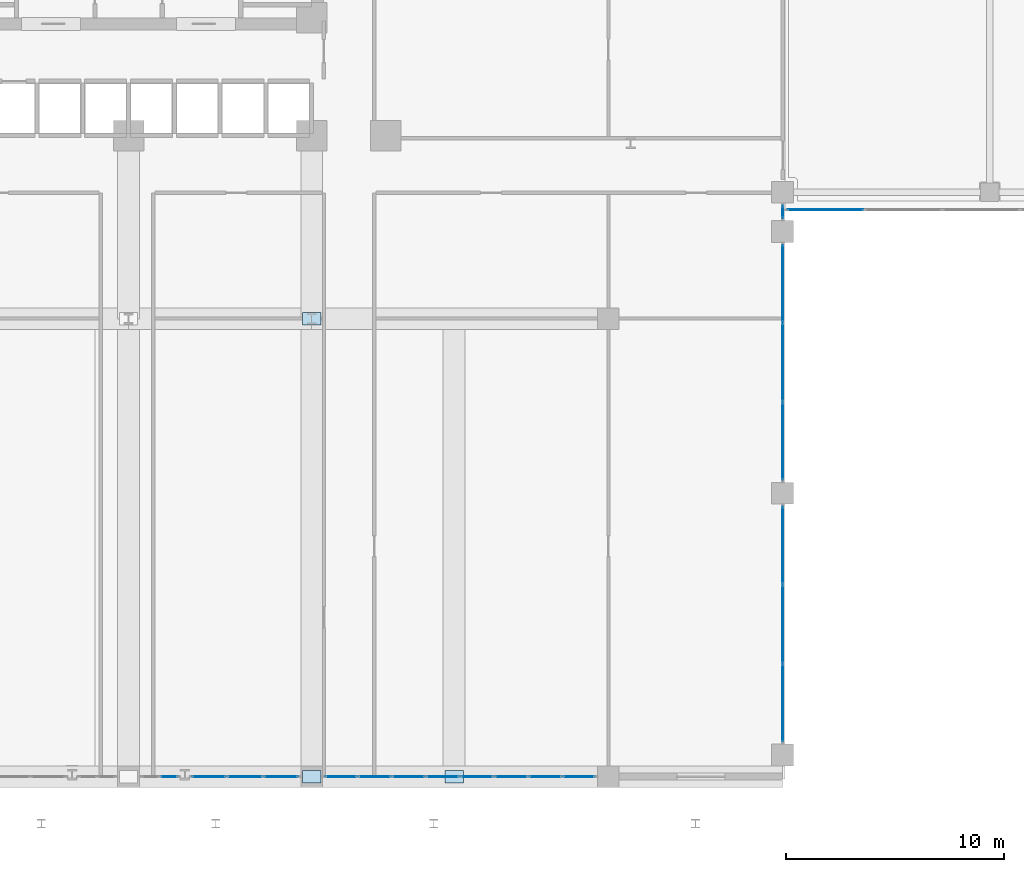
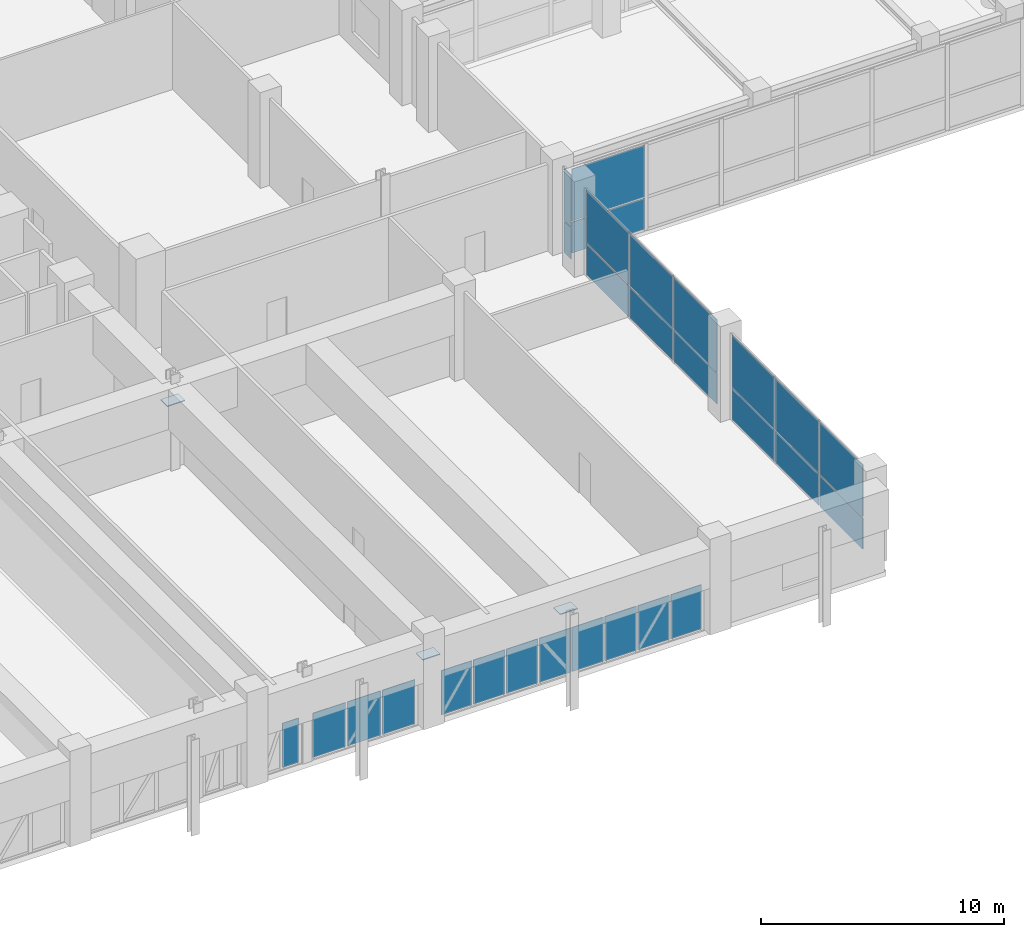
# One storey, part 28 of 44: 31 plates, 7 elements without a shape of their own.
"""IFC4 building model written with IfcOpenShell, lengths in metres."""

from ifc_helpers import new_model, si_unit, derived_unit, direction, frame, origin, origin_2d, place, context, subcontext, project, spatial, rectangle, extrude, source, transform, mapped, material, layer, layer_set, type_object, element, aggregate, save


model = new_model("IFC4")

# Units and contexts
model_context = context("Model", 3, precision=1e-05, world=origin(), true_north=direction((0.0, 1.0)))
body_context = subcontext(model_context, "Body", "Model", "MODEL_VIEW")
ifc_project = project(units=[si_unit("LENGTHUNIT", "METRE"), si_unit("AREAUNIT", "SQUARE_METRE"), si_unit("VOLUMEUNIT", "CUBIC_METRE"), si_unit("PLANEANGLEUNIT", "RADIAN"), si_unit("MASSUNIT", "GRAM", prefix="KILO"), derived_unit("THERMALTRANSMITTANCEUNIT", [(si_unit("POWERUNIT", "WATT"), 1), (si_unit("LENGTHUNIT", "METRE"), -2), (si_unit("THERMODYNAMICTEMPERATUREUNIT", "KELVIN"), -1)])], contexts=[model_context])

# Site, building, storey
site_placement = place(None, origin())
site = spatial("IfcSite", under=ifc_project, at=site_placement, CompositionType="ELEMENT")
building_placement = place(site_placement, origin())
building = spatial("IfcBuilding", under=site, at=building_placement, Name="Korsvarv Bourse and Concert Hall", CompositionType="ELEMENT")
storey_placement = place(building_placement, frame((0.0, 0.0, 9.60009765625)))
storey = spatial("IfcBuildingStorey", under=building, at=storey_placement, Name="L02", CompositionType="ELEMENT", Elevation=9.60009765625)

# Plates
ifc_material_1 = material(Name="Steel S460", Category="steel")
ifc_layer_1 = layer(ifc_material_1, 0.0400390625)
ifc_layer_set_1 = layer_set([ifc_layer_1], Name="Steel S460")
plate_type_1 = type_object("IfcPlateType", Name="PLT-KN6", PredefinedType="SHEET", material=ifc_layer_set_1)
shared_shape_1 = source(origin(), body_context, "Body", "SweptSolid", [
    extrude(rectangle(XDim=0.840087890625, YDim=0.56005859375, at=origin_2d()), origin(), (0.0, 0.0, 1.0), 0.0400390625),
])
for number, where, z_axis, x_axis, name in (
    (1, (44.39990234375, 24.0, 3.329833984375), (0.0, 0.0, 1.0), (1.0, 0.0, 0.0), "Podium transfer bearing node plate KN6 (BM-L02-PTR4)"),
    (2, (44.39990234375, 3.0, 3.329833984375), (0.0, 0.0, 1.0), (1.0, 0.0, 0.0), "Podium transfer bearing node plate KN6 (BM-L02-PTR9)"),
    (3, (50.93212890625, 3.0, 3.329833984375), (0.0, 0.0, 1.0), (1.0, 0.0, 0.0), "Podium transfer bearing node plate KN6 (BM-L02-PTRC11)"),
):
    element("IfcPlate", number, at=place(storey_placement, frame(where, z_axis=z_axis, x_axis=x_axis)), inside=storey, type_object=plate_type_1, Name=name, PredefinedType="SHEET", context=body_context, shape_type="MappedRepresentation", body=[
        mapped(shared_shape_1, transform((0.0, 0.0, 0.0), scale=1.0)),
    ])

# Curtain wall, plates
ifc_material_2 = material(Name="Anodised aluminium and triple low-E glazing", Category="glass")
ifc_layer_2 = layer(ifc_material_2, 0.239990234375)
ifc_layer_set_2 = layer_set([ifc_layer_2], Name="Anodised aluminium and triple low-E glazing")
curtain_wall_type = type_object("IfcCurtainWallType", Name="CW-SYS-5", PredefinedType="NOTDEFINED", material=ifc_layer_set_2)
curtain_wall_1_placement = place(storey_placement, origin())
curtain_wall_1 = element("IfcCurtainWall", 4, at=curtain_wall_1_placement, inside=storey, type_object=curtain_wall_type, Name="L02 CW5 curtain wall CW-L02-S5", PredefinedType="NOTDEFINED")
ifc_material_3 = material(Name="Insulated spandrel glass", Category="glass")
ifc_layer_3 = layer(ifc_material_3, 0.031982421875)
ifc_layer_set_3 = layer_set([ifc_layer_3], Name="Insulated spandrel glass")
plate_type_2 = type_object("IfcPlateType", Name="CWP-SPD1", PredefinedType="CURTAIN_PANEL", material=ifc_layer_set_3)
shared_shape_2 = source(origin(), body_context, "Body", "SweptSolid", [
    extrude(rectangle(XDim=1.45751953125, YDim=0.031982421875, at=origin_2d()), origin(), (0.0, 0.0, 1.0), 2.219970703125),
])
plate_1_placement = place(storey_placement, frame((45.748779296875, 3.0, 0.06494140625), z_axis=(0.0, 0.0, 1.0), x_axis=(1.0, 0.0, 0.0)))
plate_1 = element("IfcPlate", 5, at=plate_1_placement, type_object=plate_type_2, Name="CW5 spandrel shadow-box panel 1.1", PredefinedType="CURTAIN_PANEL", context=body_context, shape_type="MappedRepresentation", body=[
    mapped(shared_shape_2, transform((0.0, 0.0, 0.0), scale=1.0)),
])
ifc_material_4 = material(Name="Tempered triple insulated low-E architectural glass", Category="glass")
ifc_layer_4 = layer(ifc_material_4, 0.035888671875)
ifc_layer_set_4 = layer_set([ifc_layer_4], Name="Tempered triple insulated low-E architectural glass")
plate_type_3 = type_object("IfcPlateType", Name="CWP-VIS1", PredefinedType="CURTAIN_PANEL", material=ifc_layer_set_4)
shared_shape_3 = source(origin(), body_context, "Body", "SweptSolid", [
    extrude(rectangle(XDim=1.492431640625, YDim=0.035888671875, at=origin_2d()), origin(), (0.0, 0.0, 1.0), 2.219970703125),
])
plate_2_placement = place(storey_placement, frame((47.293701171875, 3.0, 0.06494140625), z_axis=(0.0, 0.0, 1.0), x_axis=(1.0, 0.0, 0.0)))
plate_2 = element("IfcPlate", 6, at=plate_2_placement, type_object=plate_type_3, Name="CW5 faceted panel 2.1", PredefinedType="CURTAIN_PANEL", context=body_context, shape_type="MappedRepresentation", body=[
    mapped(shared_shape_3, transform((0.0, 0.0, 0.0), scale=1.0)),
])
plate_3_placement = place(storey_placement, frame((48.856201171875, 3.0, 0.06494140625), z_axis=(0.0, 0.0, 1.0), x_axis=(1.0, 0.0, 0.0)))
plate_3 = element("IfcPlate", 7, at=plate_3_placement, type_object=plate_type_3, Name="CW5 faceted panel 3.1", PredefinedType="CURTAIN_PANEL", context=body_context, shape_type="MappedRepresentation", body=[
    mapped(shared_shape_3, transform((0.0, 0.0, 0.0), scale=1.0)),
])
plate_4_placement = place(storey_placement, frame((51.981201171875, 3.0, 0.06494140625), z_axis=(0.0, 0.0, 1.0), x_axis=(1.0, 0.0, 0.0)))
plate_4 = element("IfcPlate", 8, at=plate_4_placement, type_object=plate_type_3, Name="CW5 faceted panel 5.1", PredefinedType="CURTAIN_PANEL", context=body_context, shape_type="MappedRepresentation", body=[
    mapped(shared_shape_3, transform((0.0, 0.0, 0.0), scale=1.0)),
])
plate_5_placement = place(storey_placement, frame((53.543701171875, 3.0, 0.06494140625), z_axis=(0.0, 0.0, 1.0), x_axis=(1.0, 0.0, 0.0)))
plate_5 = element("IfcPlate", 9, at=plate_5_placement, type_object=plate_type_3, Name="CW5 faceted panel 6.1", PredefinedType="CURTAIN_PANEL", context=body_context, shape_type="MappedRepresentation", body=[
    mapped(shared_shape_3, transform((0.0, 0.0, 0.0), scale=1.0)),
])
shared_shape_4 = source(origin(), body_context, "Body", "SweptSolid", [
    extrude(rectangle(XDim=1.492431640625, YDim=0.031982421875, at=origin_2d()), origin(), (0.0, 0.0, 1.0), 2.219970703125),
])
plate_6_placement = place(storey_placement, frame((50.418701171875, 3.0, 0.06494140625), z_axis=(0.0, 0.0, 1.0), x_axis=(1.0, 0.0, 0.0)))
plate_6 = element("IfcPlate", 10, at=plate_6_placement, type_object=plate_type_2, Name="CW5 spandrel shadow-box panel 4.1", PredefinedType="CURTAIN_PANEL", context=body_context, shape_type="MappedRepresentation", body=[
    mapped(shared_shape_4, transform((0.0, 0.0, 0.0), scale=1.0)),
])
plate_7_placement = place(storey_placement, frame((55.106201171875, 3.0, 0.06494140625), z_axis=(0.0, 0.0, 1.0), x_axis=(1.0, 0.0, 0.0)))
plate_7 = element("IfcPlate", 11, at=plate_7_placement, type_object=plate_type_2, Name="CW5 spandrel shadow-box panel 7.1", PredefinedType="CURTAIN_PANEL", context=body_context, shape_type="MappedRepresentation", body=[
    mapped(shared_shape_4, transform((0.0, 0.0, 0.0), scale=1.0)),
])
shared_shape_5 = source(origin(), body_context, "Body", "SweptSolid", [
    extrude(rectangle(XDim=1.45751953125, YDim=0.035888671875, at=origin_2d()), origin(), (0.0, 0.0, 1.0), 2.219970703125),
])
plate_8_placement = place(storey_placement, frame((56.6513671875, 3.0, 0.06494140625), z_axis=(0.0, 0.0, 1.0), x_axis=(1.0, 0.0, 0.0)))
plate_8 = element("IfcPlate", 12, at=plate_8_placement, type_object=plate_type_3, Name="CW5 faceted panel 8.1", PredefinedType="CURTAIN_PANEL", context=body_context, shape_type="MappedRepresentation", body=[
    mapped(shared_shape_5, transform((0.0, 0.0, 0.0), scale=1.0)),
])
aggregate(curtain_wall_1, [plate_1, plate_2, plate_3, plate_6, plate_4, plate_5, plate_7, plate_8])

curtain_wall_2_placement = place(storey_placement, origin())
curtain_wall_2 = element("IfcCurtainWall", 13, at=curtain_wall_2_placement, inside=storey, type_object=curtain_wall_type, Name="L02 CW5 curtain wall CW-L02-S4-2", PredefinedType="NOTDEFINED")
shared_shape_6 = source(origin(), body_context, "Body", "SweptSolid", [
    extrude(rectangle(XDim=1.563720703125, YDim=0.035888671875, at=origin_2d()), origin(), (0.0, 0.0, 1.0), 2.219970703125),
])
plate_9_placement = place(storey_placement, frame((39.69580078125, 3.0, 0.06494140625), z_axis=(0.0, 0.0, 1.0), x_axis=(1.0, 0.0, 0.0)))
plate_9 = element("IfcPlate", 14, at=plate_9_placement, type_object=plate_type_3, Name="CW5 faceted panel 1.1", PredefinedType="CURTAIN_PANEL", context=body_context, shape_type="MappedRepresentation", body=[
    mapped(shared_shape_6, transform((0.0, 0.0, 0.0), scale=1.0)),
])
plate_10_placement = place(storey_placement, frame((42.998046875, 3.0, 0.06494140625), z_axis=(0.0, 0.0, 1.0), x_axis=(1.0, 0.0, 0.0)))
plate_10 = element("IfcPlate", 15, at=plate_10_placement, type_object=plate_type_3, Name="CW5 faceted panel 3.1", PredefinedType="CURTAIN_PANEL", context=body_context, shape_type="MappedRepresentation", body=[
    mapped(shared_shape_6, transform((0.0, 0.0, 0.0), scale=1.0)),
])
shared_shape_7 = source(origin(), body_context, "Body", "SweptSolid", [
    extrude(rectangle(XDim=1.5986328125, YDim=0.031982421875, at=origin_2d()), origin(), (0.0, 0.0, 1.0), 2.219970703125),
])
plate_11_placement = place(storey_placement, frame((41.346923828125, 3.0, 0.06494140625), z_axis=(0.0, 0.0, 1.0), x_axis=(1.0, 0.0, 0.0)))
plate_11 = element("IfcPlate", 16, at=plate_11_placement, type_object=plate_type_2, Name="CW5 spandrel shadow-box panel 2.1", PredefinedType="CURTAIN_PANEL", context=body_context, shape_type="MappedRepresentation", body=[
    mapped(shared_shape_7, transform((0.0, 0.0, 0.0), scale=1.0)),
])
aggregate(curtain_wall_2, [plate_9, plate_11, plate_10])

# Curtain wall, plate
curtain_wall_3_placement = place(storey_placement, origin())
curtain_wall_3 = element("IfcCurtainWall", 17, at=curtain_wall_3_placement, inside=storey, type_object=curtain_wall_type, Name="L02 CW5 curtain wall CW-L02-S4-1", PredefinedType="NOTDEFINED")
shared_shape_8 = source(origin(), body_context, "Body", "SweptSolid", [
    extrude(rectangle(XDim=0.780029296875, YDim=0.035888671875, at=origin_2d()), origin(), (0.0, 0.0, 1.0), 2.219970703125),
])
plate_12_placement = place(storey_placement, frame((37.85986328125, 3.0, 0.06494140625), z_axis=(0.0, 0.0, 1.0), x_axis=(1.0, 0.0, 0.0)))
plate_12 = element("IfcPlate", 18, at=plate_12_placement, type_object=plate_type_3, Name="CW5 faceted panel 2.1", PredefinedType="CURTAIN_PANEL", context=body_context, shape_type="MappedRepresentation", body=[
    mapped(shared_shape_8, transform((0.0, 0.0, 0.0), scale=1.0)),
])
aggregate(curtain_wall_3, [plate_12])

# Curtain wall, plates
curtain_wall_4_placement = place(storey_placement, origin())
curtain_wall_4 = element("IfcCurtainWall", 19, at=curtain_wall_4_placement, inside=storey, type_object=curtain_wall_type, Name="L02 CW5 curtain wall CW-L02-E1", PredefinedType="NOTDEFINED")
shared_shape_9 = source(origin(), body_context, "Body", "SweptSolid", [
    extrude(rectangle(XDim=3.5283203125, YDim=0.035888671875, at=origin_2d()), origin(), (0.0, 0.0, 1.0), 1.555419921875),
])
plate_13_placement = place(storey_placement, frame((66.0, 6.38427734375, 0.06494140625), z_axis=(0.0, 0.0, 1.0), x_axis=(0.0, 1.0, 0.0)))
plate_13 = element("IfcPlate", 20, at=plate_13_placement, type_object=plate_type_3, Name="CW5 panel 1.1", PredefinedType="CURTAIN_PANEL", context=body_context, shape_type="MappedRepresentation", body=[
    mapped(shared_shape_9, transform((0.0, 0.0, 0.0), scale=1.0)),
])
plate_14_placement = place(storey_placement, frame((66.0, 13.61572265625, 0.06494140625), z_axis=(0.0, 0.0, 1.0), x_axis=(0.0, 1.0, 0.0)))
plate_14 = element("IfcPlate", 21, at=plate_14_placement, type_object=plate_type_3, Name="CW5 panel 3.1", PredefinedType="CURTAIN_PANEL", context=body_context, shape_type="MappedRepresentation", body=[
    mapped(shared_shape_9, transform((0.0, 0.0, 0.0), scale=1.0)),
])

curtain_wall_5_placement = place(storey_placement, origin())
curtain_wall_5 = element("IfcCurtainWall", 22, at=curtain_wall_5_placement, inside=storey, type_object=curtain_wall_type, Name="L02 CW5 curtain wall CW-L02-E2-1", PredefinedType="NOTDEFINED")
plate_15_placement = place(storey_placement, frame((66.0, 18.38427734375, 0.06494140625), z_axis=(0.0, 0.0, 1.0), x_axis=(0.0, 1.0, 0.0)))
plate_15 = element("IfcPlate", 23, at=plate_15_placement, type_object=plate_type_3, Name="CW5 panel 1.1", PredefinedType="CURTAIN_PANEL", context=body_context, shape_type="MappedRepresentation", body=[
    mapped(shared_shape_9, transform((0.0, 0.0, 0.0), scale=1.0)),
])
plate_16_placement = place(storey_placement, frame((66.0, 25.61572265625, 0.06494140625), z_axis=(0.0, 0.0, 1.0), x_axis=(0.0, 1.0, 0.0)))
plate_16 = element("IfcPlate", 24, at=plate_16_placement, type_object=plate_type_3, Name="CW5 panel 3.1", PredefinedType="CURTAIN_PANEL", context=body_context, shape_type="MappedRepresentation", body=[
    mapped(shared_shape_9, transform((0.0, 0.0, 0.0), scale=1.0)),
])

# Plate
shared_shape_10 = source(origin(), body_context, "Body", "SweptSolid", [
    extrude(rectangle(XDim=3.5283203125, YDim=0.035888671875, at=origin_2d()), origin(), (0.0, 0.0, 1.0), 2.599609375),
])
plate_17_placement = place(storey_placement, frame((66.0, 6.38427734375, 1.685302734375), z_axis=(0.0, 0.0, 1.0), x_axis=(0.0, 1.0, 0.0)))
plate_17 = element("IfcPlate", 25, at=plate_17_placement, type_object=plate_type_3, Name="CW5 panel 1.2", PredefinedType="CURTAIN_PANEL", context=body_context, shape_type="MappedRepresentation", body=[
    mapped(shared_shape_10, transform((0.0, 0.0, 0.0), scale=1.0)),
])

plate_18_placement = place(storey_placement, frame((66.0, 13.61572265625, 1.685302734375), z_axis=(0.0, 0.0, 1.0), x_axis=(0.0, 1.0, 0.0)))
plate_18 = element("IfcPlate", 26, at=plate_18_placement, type_object=plate_type_3, Name="CW5 panel 3.2", PredefinedType="CURTAIN_PANEL", context=body_context, shape_type="MappedRepresentation", body=[
    mapped(shared_shape_10, transform((0.0, 0.0, 0.0), scale=1.0)),
])

plate_19_placement = place(storey_placement, frame((66.0, 18.38427734375, 1.685302734375), z_axis=(0.0, 0.0, 1.0), x_axis=(0.0, 1.0, 0.0)))
plate_19 = element("IfcPlate", 27, at=plate_19_placement, type_object=plate_type_3, Name="CW5 panel 1.2", PredefinedType="CURTAIN_PANEL", context=body_context, shape_type="MappedRepresentation", body=[
    mapped(shared_shape_10, transform((0.0, 0.0, 0.0), scale=1.0)),
])

plate_20_placement = place(storey_placement, frame((66.0, 25.61572265625, 1.685302734375), z_axis=(0.0, 0.0, 1.0), x_axis=(0.0, 1.0, 0.0)))
plate_20 = element("IfcPlate", 28, at=plate_20_placement, type_object=plate_type_3, Name="CW5 panel 3.2", PredefinedType="CURTAIN_PANEL", context=body_context, shape_type="MappedRepresentation", body=[
    mapped(shared_shape_10, transform((0.0, 0.0, 0.0), scale=1.0)),
])

shared_shape_11 = source(origin(), body_context, "Body", "SweptSolid", [
    extrude(rectangle(XDim=3.563232421875, YDim=0.035888671875, at=origin_2d()), origin(), (0.0, 0.0, 1.0), 1.555419921875),
])
plate_21_placement = place(storey_placement, frame((66.0, 10.0, 0.06494140625), z_axis=(0.0, 0.0, 1.0), x_axis=(0.0, 1.0, 0.0)))
plate_21 = element("IfcPlate", 29, at=plate_21_placement, type_object=plate_type_3, Name="CW5 panel 2.1", PredefinedType="CURTAIN_PANEL", context=body_context, shape_type="MappedRepresentation", body=[
    mapped(shared_shape_11, transform((0.0, 0.0, 0.0), scale=1.0)),
])

plate_22_placement = place(storey_placement, frame((66.0, 22.0, 0.06494140625), z_axis=(0.0, 0.0, 1.0), x_axis=(0.0, 1.0, 0.0)))
plate_22 = element("IfcPlate", 30, at=plate_22_placement, type_object=plate_type_3, Name="CW5 panel 2.1", PredefinedType="CURTAIN_PANEL", context=body_context, shape_type="MappedRepresentation", body=[
    mapped(shared_shape_11, transform((0.0, 0.0, 0.0), scale=1.0)),
])

shared_shape_12 = source(origin(), body_context, "Body", "SweptSolid", [
    extrude(rectangle(XDim=3.563232421875, YDim=0.035888671875, at=origin_2d()), origin(), (0.0, 0.0, 1.0), 2.599609375),
])
plate_23_placement = place(storey_placement, frame((66.0, 10.0, 1.685302734375), z_axis=(0.0, 0.0, 1.0), x_axis=(0.0, 1.0, 0.0)))
plate_23 = element("IfcPlate", 31, at=plate_23_placement, type_object=plate_type_3, Name="CW5 panel 2.2", PredefinedType="CURTAIN_PANEL", context=body_context, shape_type="MappedRepresentation", body=[
    mapped(shared_shape_12, transform((0.0, 0.0, 0.0), scale=1.0)),
])

aggregate(curtain_wall_4, [plate_13, plate_17, plate_21, plate_23, plate_14, plate_18])

plate_24_placement = place(storey_placement, frame((66.0, 22.0, 1.685302734375), z_axis=(0.0, 0.0, 1.0), x_axis=(0.0, 1.0, 0.0)))
plate_24 = element("IfcPlate", 32, at=plate_24_placement, type_object=plate_type_3, Name="CW5 panel 2.2", PredefinedType="CURTAIN_PANEL", context=body_context, shape_type="MappedRepresentation", body=[
    mapped(shared_shape_12, transform((0.0, 0.0, 0.0), scale=1.0)),
])

aggregate(curtain_wall_5, [plate_15, plate_19, plate_22, plate_24, plate_16, plate_20])

# Curtain wall, plates
curtain_wall_6_placement = place(storey_placement, origin())
curtain_wall_6 = element("IfcCurtainWall", 33, at=curtain_wall_6_placement, inside=storey, type_object=curtain_wall_type, Name="L02 CW5 curtain wall CW-L02-E2-2", PredefinedType="NOTDEFINED")
shared_shape_13 = source(origin(), body_context, "Body", "SweptSolid", [
    extrude(rectangle(XDim=0.56005859375, YDim=0.035888671875, at=origin_2d()), origin(), (0.0, 0.0, 1.0), 1.555419921875),
])
plate_25_placement = place(storey_placement, frame((66.0, 28.89990234375, 0.06494140625), z_axis=(0.0, 0.0, 1.0), x_axis=(0.0, 1.0, 0.0)))
plate_25 = element("IfcPlate", 34, at=plate_25_placement, type_object=plate_type_3, Name="CW5 panel 1.1", PredefinedType="CURTAIN_PANEL", context=body_context, shape_type="MappedRepresentation", body=[
    mapped(shared_shape_13, transform((0.0, 0.0, 0.0), scale=1.0)),
])
shared_shape_14 = source(origin(), body_context, "Body", "SweptSolid", [
    extrude(rectangle(XDim=0.56005859375, YDim=0.035888671875, at=origin_2d()), origin(), (0.0, 0.0, 1.0), 2.599609375),
])
plate_26_placement = place(storey_placement, frame((66.0, 28.89990234375, 1.685302734375), z_axis=(0.0, 0.0, 1.0), x_axis=(0.0, 1.0, 0.0)))
plate_26 = element("IfcPlate", 35, at=plate_26_placement, type_object=plate_type_3, Name="CW5 panel 1.2", PredefinedType="CURTAIN_PANEL", context=body_context, shape_type="MappedRepresentation", body=[
    mapped(shared_shape_14, transform((0.0, 0.0, 0.0), scale=1.0)),
])
aggregate(curtain_wall_6, [plate_25, plate_26])

curtain_wall_7_placement = place(storey_placement, origin())
curtain_wall_7 = element("IfcCurtainWall", 36, at=curtain_wall_7_placement, inside=storey, type_object=curtain_wall_type, Name="L02 CW5 curtain wall CW-L02-LKS", PredefinedType="NOTDEFINED")
shared_shape_15 = source(origin(), body_context, "Body", "SweptSolid", [
    extrude(rectangle(XDim=3.47509765625, YDim=0.035888671875, at=origin_2d()), origin(), (0.0, 0.0, 1.0), 1.555419921875),
])
plate_27_placement = place(storey_placement, frame((67.967529296875, 29.0, 0.06494140625), z_axis=(0.0, 0.0, 1.0), x_axis=(1.0, 0.0, 0.0)))
plate_27 = element("IfcPlate", 37, at=plate_27_placement, type_object=plate_type_3, Name="CW5 panel 1.1", PredefinedType="CURTAIN_PANEL", context=body_context, shape_type="MappedRepresentation", body=[
    mapped(shared_shape_15, transform((0.0, 0.0, 0.0), scale=1.0)),
])
shared_shape_16 = source(origin(), body_context, "Body", "SweptSolid", [
    extrude(rectangle(XDim=3.47509765625, YDim=0.035888671875, at=origin_2d()), origin(), (0.0, 0.0, 1.0), 2.599609375),
])
plate_28_placement = place(storey_placement, frame((67.967529296875, 29.0, 1.685302734375), z_axis=(0.0, 0.0, 1.0), x_axis=(1.0, 0.0, 0.0)))
plate_28 = element("IfcPlate", 38, at=plate_28_placement, type_object=plate_type_3, Name="CW5 panel 1.2", PredefinedType="CURTAIN_PANEL", context=body_context, shape_type="MappedRepresentation", body=[
    mapped(shared_shape_16, transform((0.0, 0.0, 0.0), scale=1.0)),
])
aggregate(curtain_wall_7, [plate_27, plate_28])

save(model, "model.ifc")
